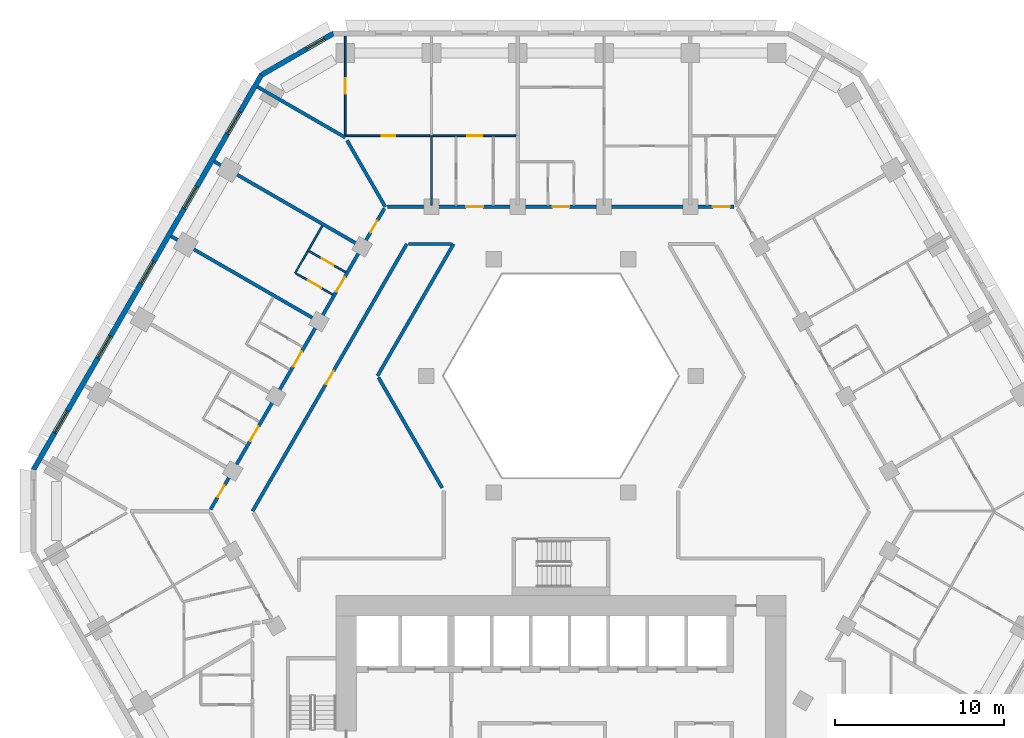
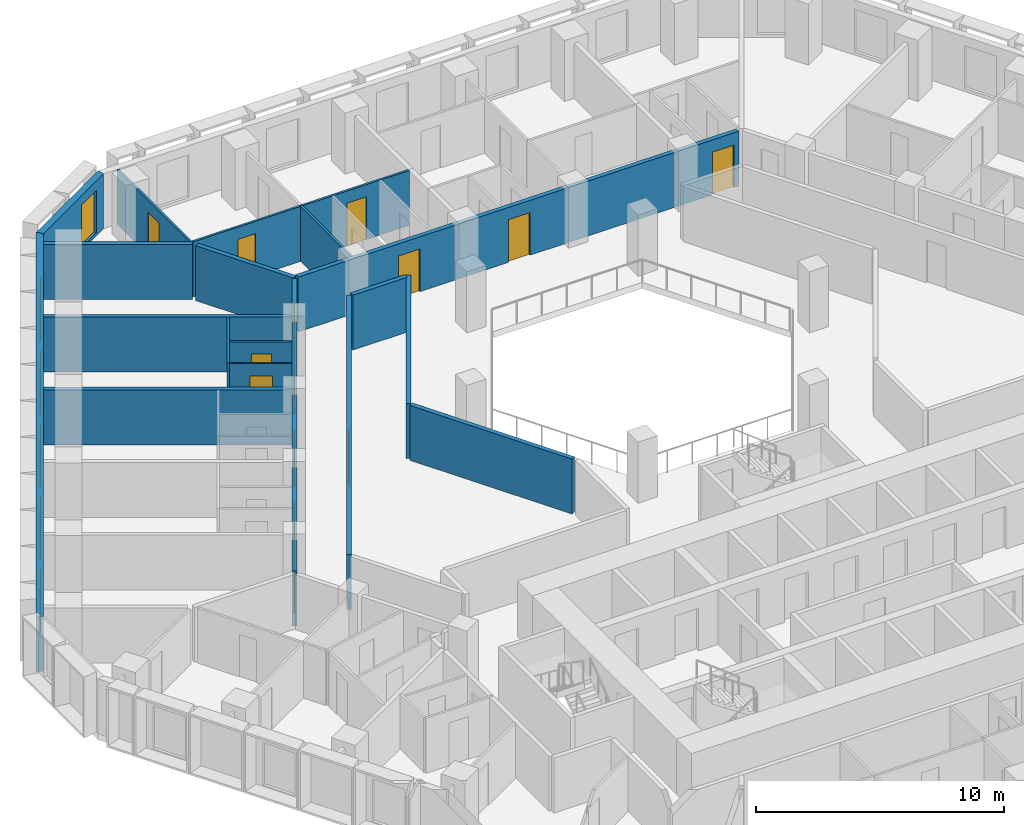
# One storey, part 8 of 16: 18 walls, 14 doors, 6 windows, 20 openings.
"""IFC4 building model written with IfcOpenShell, lengths in metres."""

from ifc_helpers import new_model, si_unit, direction, frame, frame_2d, origin, place, context, subcontext, project, spatial, polyline, rectangle, outline, extrude, material, layer, layer_set, type_object, element, fill, save


model = new_model("IFC4")

# Units and contexts
model_context = context("Model", 3, precision=1e-05, world=origin(), true_north=direction((0.0, 1.0)))
body_context = subcontext(model_context, "Body", "Model", "MODEL_VIEW")
ifc_project = project(units=[si_unit("LENGTHUNIT", "METRE"), si_unit("AREAUNIT", "SQUARE_METRE"), si_unit("VOLUMEUNIT", "CUBIC_METRE"), si_unit("PLANEANGLEUNIT", "RADIAN"), si_unit("MASSUNIT", "GRAM", prefix="KILO")], contexts=[model_context])

# Site, building, storey
site_placement = place(None, origin())
site = spatial("IfcSite", under=ifc_project, at=site_placement, CompositionType="ELEMENT")
building_placement = place(site_placement, origin())
building = spatial("IfcBuilding", under=site, at=building_placement, Name="Beryl Residences", CompositionType="ELEMENT")
storey_placement = place(building_placement, frame((0.0, 0.0, 26.39990234375)))
storey = spatial("IfcBuildingStorey", under=building, at=storey_placement, Name="L07", CompositionType="ELEMENT", Elevation=26.39990234375)

# Wall, opening, window
ifc_material_1 = material(Name="Composite metal panel with mineral wool insulation")
ifc_layer_1 = layer(ifc_material_1, 0.300048828125)
ifc_layer_set_1 = layer_set([ifc_layer_1], Name="ES1 pale metal composite panel wall 300 mm")
wall_type_1 = type_object("IfcWallType", Name="ES1 pale metal composite panel wall 300 mm", PredefinedType="SOLIDWALL", material=ifc_layer_set_1)
wall_1_placement = place(storey_placement, frame((-13.43505859375, 28.27001953125, 0.0), z_axis=(0.0, 0.0, 1.0), x_axis=(-0.866010750942, -0.50002537861, 0.0)))
wall_1 = element("IfcWall", 1, at=wall_1_placement, inside=storey, type_object=wall_type_1, Name="ES1 external wall L07 N-NW", PredefinedType="SOLIDWALL", context=body_context, shape_type="SweptSolid", body=[
    extrude(outline(polyline([(0.0, -0.14990234375), (4.999755859375, -0.14990234375), (4.91943359375, 0.14990234375), (0.080322265625, 0.14990234375), (0.0, -0.14990234375)])), origin(), (0.0, 0.0, 1.0), 2.7001953125),
])
opening_1_placement = place(wall_1_placement, frame((0.64990234375, 0.0, 0.14990234375)))
opening_1 = element("IfcOpeningElement", 2, at=opening_1_placement, cuts=wall_1, Name="Opening W2", PredefinedType="OPENING", context=body_context, shape_type="SweptSolid", body=[
    extrude(rectangle(XDim=1.199951171875, YDim=2.10009765625, at=frame_2d((0.60009765625, 1.050048828125))), frame((0.0, 0.159912109375, 0.0), z_axis=(0.0, -1.0, 0.0), x_axis=(1.0, 0.0, 0.0)), (0.0, 0.0, 1.0), 0.320068359375),
])
ifc_material_2 = material(Name="Aluminium and clear glass", Category="aluminium")
window_type_1 = type_object("IfcWindowType", Name="W2 chamfer window 1200 x 2100 mm", PartitioningType="SINGLE_PANEL", PredefinedType="WINDOW", material=ifc_material_2)
window_1_placement = place(opening_1_placement, origin())
window_1 = element("IfcWindow", 3, at=window_1_placement, inside=storey, type_object=window_type_1, Name="W2 window L07 N-NW 1", OverallHeight=2.10009765625, OverallWidth=1.199951171875, PartitioningType="SINGLE_PANEL", PredefinedType="WINDOW", context=body_context, shape_type="SweptSolid", body=[
    extrude(rectangle(XDim=1.199951171875, YDim=2.10009765625, at=frame_2d((0.60009765625, 1.050048828125))), frame((0.0, 0.030029296875, 0.0), z_axis=(0.0, -1.0, 0.0), x_axis=(1.0, 0.0, 0.0)), (0.0, 0.0, 1.0), 0.06005859375),
])
fill(opening_1, window_1)

# Wall, openings, windows
wall_2_placement = place(storey_placement, frame((-17.7099609375, 25.824951171875, 0.0), z_axis=(0.0, 0.0, 1.0), x_axis=(-0.500001938803, -0.866024284413, 0.0)))
wall_2 = element("IfcWall", 4, at=wall_2_placement, inside=storey, type_object=wall_type_1, Name="ES1 external wall L07 NW", PredefinedType="SOLIDWALL", context=body_context, shape_type="SweptSolid", body=[
    extrude(outline(polyline([(0.0, -0.14990234375), (27.02001953125, -0.14990234375), (26.939697265625, 0.14990234375), (0.080322265625, 0.14990234375), (0.0, -0.14990234375)])), origin(), (0.0, 0.0, 1.0), 2.7001953125),
])
opening_2_placement = place(wall_2_placement, frame((2.552978515625, 0.0, 0.14990234375)))
opening_2 = element("IfcOpeningElement", 5, at=opening_2_placement, cuts=wall_2, Name="Opening W1", PredefinedType="OPENING", context=body_context, shape_type="SweptSolid", body=[
    extrude(rectangle(XDim=1.5, YDim=2.10009765625, at=frame_2d((0.75, 1.050048828125))), frame((0.0, 0.159912109375, 0.0), z_axis=(0.0, -1.0, 0.0), x_axis=(1.0, 0.0, 0.0)), (0.0, 0.0, 1.0), 0.320068359375),
])
opening_3_placement = place(wall_2_placement, frame((7.657958984375, 0.0, 0.14990234375)))
opening_3 = element("IfcOpeningElement", 6, at=opening_3_placement, cuts=wall_2, Name="Opening W1", PredefinedType="OPENING", context=body_context, shape_type="SweptSolid", body=[
    extrude(rectangle(XDim=1.5, YDim=2.10009765625, at=frame_2d((0.75, 1.050048828125))), frame((0.0, 0.159912109375, 0.0), z_axis=(0.0, -1.0, 0.0), x_axis=(1.0, 0.0, 0.0)), (0.0, 0.0, 1.0), 0.320068359375),
])
opening_4_placement = place(wall_2_placement, frame((12.760986328125, 0.0, 0.14990234375)))
opening_4 = element("IfcOpeningElement", 7, at=opening_4_placement, cuts=wall_2, Name="Opening W1", PredefinedType="OPENING", context=body_context, shape_type="SweptSolid", body=[
    extrude(rectangle(XDim=1.5, YDim=2.10009765625, at=frame_2d((0.75, 1.050048828125))), frame((0.0, 0.159912109375, 0.0), z_axis=(0.0, -1.0, 0.0), x_axis=(1.0, 0.0, 0.0)), (0.0, 0.0, 1.0), 0.320068359375),
])
opening_5_placement = place(wall_2_placement, frame((17.864990234375, 0.0, 0.14990234375)))
opening_5 = element("IfcOpeningElement", 8, at=opening_5_placement, cuts=wall_2, Name="Opening W1", PredefinedType="OPENING", context=body_context, shape_type="SweptSolid", body=[
    extrude(rectangle(XDim=1.5, YDim=2.10009765625, at=frame_2d((0.75, 1.050048828125))), frame((0.0, 0.159912109375, 0.0), z_axis=(0.0, -1.0, 0.0), x_axis=(1.0, 0.0, 0.0)), (0.0, 0.0, 1.0), 0.320068359375),
])
opening_6_placement = place(wall_2_placement, frame((22.968994140625, 0.0, 0.14990234375)))
opening_6 = element("IfcOpeningElement", 9, at=opening_6_placement, cuts=wall_2, Name="Opening W1", PredefinedType="OPENING", context=body_context, shape_type="SweptSolid", body=[
    extrude(rectangle(XDim=1.5, YDim=2.10009765625, at=frame_2d((0.75, 1.050048828125))), frame((0.0, 0.159912109375, 0.0), z_axis=(0.0, -1.0, 0.0), x_axis=(1.0, 0.0, 0.0)), (0.0, 0.0, 1.0), 0.320068359375),
])
ifc_material_3 = material(Name="Aluminium and clear glass", Category="aluminium")
window_type_2 = type_object("IfcWindowType", Name="W1 cell window 1500 x 2100 mm", PartitioningType="SINGLE_PANEL", PredefinedType="WINDOW", material=ifc_material_3)
window_2_placement = place(opening_2_placement, origin())
window_2 = element("IfcWindow", 10, at=window_2_placement, inside=storey, type_object=window_type_2, Name="W1 window L07 NW 2", OverallHeight=2.10009765625, OverallWidth=1.5, PartitioningType="SINGLE_PANEL", PredefinedType="WINDOW", context=body_context, shape_type="SweptSolid", body=[
    extrude(rectangle(XDim=1.5, YDim=2.10009765625, at=frame_2d((0.75, 1.050048828125))), frame((0.0, 0.030029296875, 0.0), z_axis=(0.0, -1.0, 0.0), x_axis=(1.0, 0.0, 0.0)), (0.0, 0.0, 1.0), 0.06005859375),
])
fill(opening_2, window_2)
window_3_placement = place(opening_3_placement, origin())
window_3 = element("IfcWindow", 11, at=window_3_placement, inside=storey, type_object=window_type_2, Name="W1 window L07 NW 4", OverallHeight=2.10009765625, OverallWidth=1.5, PartitioningType="SINGLE_PANEL", PredefinedType="WINDOW", context=body_context, shape_type="SweptSolid", body=[
    extrude(rectangle(XDim=1.5, YDim=2.10009765625, at=frame_2d((0.75, 1.050048828125))), frame((0.0, 0.030029296875, 0.0), z_axis=(0.0, -1.0, 0.0), x_axis=(1.0, 0.0, 0.0)), (0.0, 0.0, 1.0), 0.06005859375),
])
fill(opening_3, window_3)
window_4_placement = place(opening_4_placement, origin())
window_4 = element("IfcWindow", 12, at=window_4_placement, inside=storey, type_object=window_type_2, Name="W1 window L07 NW 6", OverallHeight=2.10009765625, OverallWidth=1.5, PartitioningType="SINGLE_PANEL", PredefinedType="WINDOW", context=body_context, shape_type="SweptSolid", body=[
    extrude(rectangle(XDim=1.5, YDim=2.10009765625, at=frame_2d((0.75, 1.050048828125))), frame((0.0, 0.030029296875, 0.0), z_axis=(0.0, -1.0, 0.0), x_axis=(1.0, 0.0, 0.0)), (0.0, 0.0, 1.0), 0.06005859375),
])
fill(opening_4, window_4)
window_5_placement = place(opening_5_placement, origin())
window_5 = element("IfcWindow", 13, at=window_5_placement, inside=storey, type_object=window_type_2, Name="W1 window L07 NW 8", OverallHeight=2.10009765625, OverallWidth=1.5, PartitioningType="SINGLE_PANEL", PredefinedType="WINDOW", context=body_context, shape_type="SweptSolid", body=[
    extrude(rectangle(XDim=1.5, YDim=2.10009765625, at=frame_2d((0.75, 1.050048828125))), frame((0.0, 0.030029296875, 0.0), z_axis=(0.0, -1.0, 0.0), x_axis=(1.0, 0.0, 0.0)), (0.0, 0.0, 1.0), 0.06005859375),
])
fill(opening_5, window_5)
window_6_placement = place(opening_6_placement, origin())
window_6 = element("IfcWindow", 14, at=window_6_placement, inside=storey, type_object=window_type_2, Name="W1 window L07 NW 10", OverallHeight=2.10009765625, OverallWidth=1.5, PartitioningType="SINGLE_PANEL", PredefinedType="WINDOW", context=body_context, shape_type="SweptSolid", body=[
    extrude(rectangle(XDim=1.5, YDim=2.10009765625, at=frame_2d((0.75, 1.050048828125))), frame((0.0, 0.030029296875, 0.0), z_axis=(0.0, -1.0, 0.0), x_axis=(1.0, 0.0, 0.0)), (0.0, 0.0, 1.0), 0.06005859375),
])
fill(opening_6, window_6)

# Wall, opening, door
ifc_material_4 = material(Name="Gypsum board partition on steel studs", Category="steel")
ifc_layer_2 = layer(ifc_material_4, 0.10009765625)
ifc_layer_set_2 = layer_set([ifc_layer_2], Name="PT1 partition 100 mm gypsum board on steel studs")
wall_type_2 = type_object("IfcWallType", Name="PT1 partition 100 mm gypsum board on steel studs", PredefinedType="PARTITIONING", material=ifc_layer_set_2)
wall_3_placement = place(storey_placement, frame((-15.678955078125, 14.06103515625, 0.0), z_axis=(0.0, 0.0, 1.0), x_axis=(0.865916579361, -0.500188442078, 0.0)))
wall_3 = element("IfcWall", 15, at=wall_3_placement, inside=storey, type_object=wall_type_2, Name="Wall PT1 L07 021", PredefinedType="PARTITIONING", context=body_context, shape_type="SweptSolid", body=[
    extrude(rectangle(XDim=2.50927734375, YDim=0.10009765625, at=frame_2d((1.254638671875, 0.0))), origin(), (0.0, 0.0, 1.0), 2.7001953125),
])
opening_7_placement = place(wall_3_placement, frame((0.8291015625, 0.0, 0.0)))
opening_7 = element("IfcOpeningElement", 16, at=opening_7_placement, cuts=wall_3, Name="Opening D0403", PredefinedType="OPENING", context=body_context, shape_type="SweptSolid", body=[
    extrude(rectangle(XDim=0.89990234375, YDim=2.10009765625, at=frame_2d((0.449951171875, 1.050048828125))), frame((0.0, 0.06005859375, 0.0), z_axis=(0.0, -1.0, 0.0), x_axis=(1.0, 0.0, 0.0)), (0.0, 0.0, 1.0), 0.1201171875),
])
ifc_material_5 = material(Name="Timber door leaf", Category="wood")
door_type_1 = type_object("IfcDoorType", Name="D2 room door 900 x 2100 mm", OperationType="SINGLE_SWING_LEFT", PredefinedType="DOOR", material=ifc_material_5)
door_1_placement = place(opening_7_placement, origin())
door_1 = element("IfcDoor", 17, at=door_1_placement, inside=storey, type_object=door_type_1, Name="Door D0403 L07 001", OperationType="SINGLE_SWING_LEFT", OverallHeight=2.10009765625, OverallWidth=0.89990234375, PredefinedType="DOOR", context=body_context, shape_type="SweptSolid", body=[
    extrude(rectangle(XDim=0.89990234375, YDim=2.10009765625, at=frame_2d((0.449951171875, 1.050048828125))), frame((0.0, 0.02490234375, 0.0), z_axis=(0.0, -1.0, 0.0), x_axis=(1.0, 0.0, 0.0)), (0.0, 0.0, 1.0), 0.050048828125),
])
fill(opening_7, door_1)

wall_4_placement = place(storey_placement, frame((-14.9140625, 15.386962890625, 0.0), z_axis=(0.0, 0.0, 1.0), x_axis=(0.865983051302, -0.500073349477, 0.0)))
wall_4 = element("IfcWall", 18, at=wall_4_placement, inside=storey, type_object=wall_type_2, Name="Wall PT1 L07 022", PredefinedType="PARTITIONING", context=body_context, shape_type="SweptSolid", body=[
    extrude(rectangle(XDim=2.50927734375, YDim=0.10009765625, at=frame_2d((1.254638671875, 0.0))), origin(), (0.0, 0.0, 1.0), 2.7001953125),
])
opening_8_placement = place(wall_4_placement, frame((0.8798828125, 0.0, 0.0)))
opening_8 = element("IfcOpeningElement", 19, at=opening_8_placement, cuts=wall_4, Name="Opening D0404", PredefinedType="OPENING", context=body_context, shape_type="SweptSolid", body=[
    extrude(rectangle(XDim=0.800048828125, YDim=2.10009765625, at=frame_2d((0.39990234375, 1.050048828125))), frame((0.0, 0.06005859375, 0.0), z_axis=(0.0, -1.0, 0.0), x_axis=(1.0, 0.0, 0.0)), (0.0, 0.0, 1.0), 0.1201171875),
])
ifc_material_6 = material(Name="Timber door leaf", Category="wood")
door_type_2 = type_object("IfcDoorType", Name="D3 bathroom door 800 x 2100 mm", OperationType="SINGLE_SWING_LEFT", PredefinedType="DOOR", material=ifc_material_6)
door_2_placement = place(opening_8_placement, origin())
door_2 = element("IfcDoor", 20, at=door_2_placement, inside=storey, type_object=door_type_2, Name="Door D0404 L07 001", OperationType="SINGLE_SWING_RIGHT", OverallHeight=2.10009765625, OverallWidth=0.800048828125, PredefinedType="DOOR", context=body_context, shape_type="SweptSolid", body=[
    extrude(rectangle(XDim=0.800048828125, YDim=2.10009765625, at=frame_2d((0.39990234375, 1.050048828125))), frame((0.0, 0.02490234375, 0.0), z_axis=(0.0, -1.0, 0.0), x_axis=(1.0, 0.0, 0.0)), (0.0, 0.0, 1.0), 0.050048828125),
])
fill(opening_8, door_2)

# Wall, openings, doors
wall_5_placement = place(storey_placement, frame((-12.7109375, 22.199951171875, 0.0), z_axis=(0.0, 0.0, 1.0), x_axis=(1.0, 0.0, 0.0)))
wall_5 = element("IfcWall", 21, at=wall_5_placement, inside=storey, type_object=wall_type_2, Name="Wall PT1 L07 037", PredefinedType="PARTITIONING", context=body_context, shape_type="SweptSolid", body=[
    extrude(rectangle(XDim=10.057861328125, YDim=0.10009765625, at=frame_2d((5.02880859375, 0.0))), origin(), (0.0, 0.0, 1.0), 2.7001953125),
])
opening_9_placement = place(wall_5_placement, frame((7.156005859375, 0.0, 0.0)))
opening_9 = element("IfcOpeningElement", 22, at=opening_9_placement, cuts=wall_5, Name="Opening D0472", PredefinedType="OPENING", context=body_context, shape_type="SweptSolid", body=[
    extrude(rectangle(XDim=0.89990234375, YDim=2.10009765625, at=frame_2d((0.449951171875, 1.050048828125))), frame((0.0, 0.06005859375, 0.0), z_axis=(0.0, -1.0, 0.0), x_axis=(1.0, 0.0, 0.0)), (0.0, 0.0, 1.0), 0.1201171875),
])
opening_10_placement = place(wall_5_placement, frame((2.10205078125, 0.0, 0.0)))
opening_10 = element("IfcOpeningElement", 23, at=opening_10_placement, cuts=wall_5, Name="Opening D0475", PredefinedType="OPENING", context=body_context, shape_type="SweptSolid", body=[
    extrude(rectangle(XDim=0.800048828125, YDim=2.10009765625, at=frame_2d((0.39990234375, 1.050048828125))), frame((0.0, 0.06005859375, 0.0), z_axis=(0.0, -1.0, 0.0), x_axis=(1.0, 0.0, 0.0)), (0.0, 0.0, 1.0), 0.1201171875),
])
door_3_placement = place(opening_9_placement, origin())
door_3 = element("IfcDoor", 24, at=door_3_placement, inside=storey, type_object=door_type_1, Name="Door D0472 L07 001", OperationType="SINGLE_SWING_RIGHT", OverallHeight=2.10009765625, OverallWidth=0.89990234375, PredefinedType="DOOR", context=body_context, shape_type="SweptSolid", body=[
    extrude(rectangle(XDim=0.89990234375, YDim=2.10009765625, at=frame_2d((0.449951171875, 1.050048828125))), frame((0.0, 0.02490234375, 0.0), z_axis=(0.0, -1.0, 0.0), x_axis=(1.0, 0.0, 0.0)), (0.0, 0.0, 1.0), 0.050048828125),
])
fill(opening_9, door_3)
door_4_placement = place(opening_10_placement, origin())
door_4 = element("IfcDoor", 25, at=door_4_placement, inside=storey, type_object=door_type_2, Name="Door D0475 L07 001", OperationType="SINGLE_SWING_LEFT", OverallHeight=2.10009765625, OverallWidth=0.800048828125, PredefinedType="DOOR", context=body_context, shape_type="SweptSolid", body=[
    extrude(rectangle(XDim=0.800048828125, YDim=2.10009765625, at=frame_2d((0.39990234375, 1.050048828125))), frame((0.0, 0.02490234375, 0.0), z_axis=(0.0, -1.0, 0.0), x_axis=(1.0, 0.0, 0.0)), (0.0, 0.0, 1.0), 0.050048828125),
])
fill(opening_10, door_4)

# Walls
wall_6_placement = place(storey_placement, frame((-15.722900390625, 14.0869140625, 0.0), z_axis=(0.0, 0.0, 1.0), x_axis=(0.500204249835, 0.865907447969, 0.0)))
element("IfcWall", 26, at=wall_6_placement, inside=storey, type_object=wall_type_2, Name="Wall PT1 L07 041", PredefinedType="PARTITIONING", context=body_context, shape_type="SweptSolid", body=[
    extrude(rectangle(XDim=3.216552734375, YDim=0.10009765625, at=frame_2d((1.6083984375, 0.0))), origin(), (0.0, 0.0, 1.0), 2.7001953125),
])
wall_7_placement = place(storey_placement, frame((-7.656982421875, 18.10009765625, 0.0), z_axis=(0.0, 0.0, 1.0), x_axis=(0.0, 1.0, 0.0)))
element("IfcWall", 27, at=wall_7_placement, inside=storey, type_object=wall_type_2, Name="Wall PT1 L07 055", PredefinedType="PARTITIONING", context=body_context, shape_type="SweptSolid", body=[
    extrude(rectangle(XDim=4.099853515625, YDim=0.10009765625, at=frame_2d((2.0498046875, 0.0))), origin(), (0.0, 0.0, 1.0), 2.7001953125),
])

# Wall, opening, door
wall_8_placement = place(storey_placement, frame((-12.760986328125, 22.199951171875, 0.0), z_axis=(0.0, 0.0, 1.0), x_axis=(0.0, 1.0, 0.0)))
wall_8 = element("IfcWall", 28, at=wall_8_placement, inside=storey, type_object=wall_type_2, Name="Wall PT1 L07 057", PredefinedType="PARTITIONING", context=body_context, shape_type="SweptSolid", body=[
    extrude(rectangle(XDim=5.900146484375, YDim=0.10009765625, at=frame_2d((2.9501953125, 0.0))), origin(), (0.0, 0.0, 1.0), 2.7001953125),
])
opening_11_placement = place(wall_8_placement, frame((2.5, 0.0, 0.0)))
opening_11 = element("IfcOpeningElement", 29, at=opening_11_placement, cuts=wall_8, Name="Opening D0474", PredefinedType="OPENING", context=body_context, shape_type="SweptSolid", body=[
    extrude(rectangle(XDim=0.89990234375, YDim=2.10009765625, at=frame_2d((0.449951171875, 1.050048828125))), frame((0.0, 0.06005859375, 0.0), z_axis=(0.0, -1.0, 0.0), x_axis=(1.0, 0.0, 0.0)), (0.0, 0.0, 1.0), 0.1201171875),
])
door_5_placement = place(opening_11_placement, origin())
door_5 = element("IfcDoor", 30, at=door_5_placement, inside=storey, type_object=door_type_1, Name="Door D0474 L07 001", OperationType="SINGLE_SWING_RIGHT", OverallHeight=2.10009765625, OverallWidth=0.89990234375, PredefinedType="DOOR", context=body_context, shape_type="SweptSolid", body=[
    extrude(rectangle(XDim=0.89990234375, YDim=2.10009765625, at=frame_2d((0.449951171875, 1.050048828125))), frame((0.0, 0.02490234375, 0.0), z_axis=(0.0, -1.0, 0.0), x_axis=(1.0, 0.0, 0.0)), (0.0, 0.0, 1.0), 0.050048828125),
])
fill(opening_11, door_5)

# Walls
ifc_material_7 = material(Name="Acoustic double stud gypsum board wall")
ifc_layer_3 = layer(ifc_material_7, 0.199951171875)
ifc_layer_set_3 = layer_set([ifc_layer_3], Name="PT3 party wall 200 mm acoustic double stud")
wall_type_3 = type_object("IfcWallType", Name="PT3 party wall 200 mm acoustic double stud", PredefinedType="PARTITIONING", material=ifc_layer_set_3)
wall_9_placement = place(storey_placement, frame((-12.658935546875, 21.926025390625, 0.0), z_axis=(0.0, 0.0, 1.0), x_axis=(0.500025458316, -0.86601070492, 0.0)))
element("IfcWall", 31, at=wall_9_placement, inside=storey, type_object=wall_type_3, Name="Wall PT3 L07 001", PredefinedType="PARTITIONING", context=body_context, shape_type="SweptSolid", body=[
    extrude(rectangle(XDim=4.533447265625, YDim=0.199951171875, at=frame_2d((2.2666015625, 0.0))), origin(), (0.0, 0.0, 1.0), 2.7001953125),
])
wall_10_placement = place(storey_placement, frame((-20.508056640625, 20.678955078125, 0.0), z_axis=(0.0, 0.0, 1.0), x_axis=(0.866047370643, -0.499961950354, 0.0)))
element("IfcWall", 32, at=wall_10_placement, inside=storey, type_object=wall_type_3, Name="Wall PT3 L07 008", PredefinedType="PARTITIONING", context=body_context, shape_type="SweptSolid", body=[
    extrude(rectangle(XDim=10.000732421875, YDim=0.199951171875, at=frame_2d((5.00048828125, 0.0))), origin(), (0.0, 0.0, 1.0), 2.7001953125),
])
wall_11_placement = place(storey_placement, frame((-17.955078125, 25.09912109375, 0.0), z_axis=(0.0, 0.0, 1.0), x_axis=(0.86609140076, -0.499885672459, 0.0)))
element("IfcWall", 33, at=wall_11_placement, inside=storey, type_object=wall_type_3, Name="Wall PT3 L07 009", PredefinedType="PARTITIONING", context=body_context, shape_type="SweptSolid", body=[
    extrude(rectangle(XDim=5.99951171875, YDim=0.199951171875, at=frame_2d((2.999755859375, 0.0))), origin(), (0.0, 0.0, 1.0), 2.7001953125),
])
wall_12_placement = place(storey_placement, frame((-23.06005859375, 16.259033203125, 0.0), z_axis=(0.0, 0.0, 1.0), x_axis=(0.866047370643, -0.499961950354, 0.0)))
element("IfcWall", 34, at=wall_12_placement, inside=storey, type_object=wall_type_3, Name="Wall PT3 L07 010", PredefinedType="PARTITIONING", context=body_context, shape_type="SweptSolid", body=[
    extrude(rectangle(XDim=10.000732421875, YDim=0.199951171875, at=frame_2d((5.00048828125, 0.0))), origin(), (0.0, 0.0, 1.0), 2.7001953125),
])
ifc_material_8 = material(Name="Double stud gypsum board wall")
ifc_layer_4 = layer(ifc_material_8, 0.199951171875)
ifc_layer_set_4 = layer_set([ifc_layer_4], Name="PT4 corridor wall 200 mm double stud")
wall_type_4 = type_object("IfcWallType", Name="PT4 corridor wall 200 mm double stud", PredefinedType="PARTITIONING", material=ifc_layer_set_4)
wall_13_placement = place(storey_placement, frame((-10.7958984375, 7.89990234375, 0.0), z_axis=(0.0, 0.0, 1.0), x_axis=(0.499954271211, -0.866051803703, 0.0)))
element("IfcWall", 35, at=wall_13_placement, inside=storey, type_object=wall_type_4, Name="Wall PT4 L07 001", PredefinedType="PARTITIONING", context=body_context, shape_type="SweptSolid", body=[
    extrude(rectangle(XDim=7.536376953125, YDim=0.199951171875, at=frame_2d((3.76806640625, 0.0))), origin(), (0.0, 0.0, 1.0), 2.7001953125),
])
wall_14_placement = place(storey_placement, frame((-9.006103515625, 15.800048828125, 0.0), z_axis=(0.0, 0.0, 1.0), x_axis=(1.0, 0.0, 0.0)))
element("IfcWall", 36, at=wall_14_placement, inside=storey, type_object=wall_type_4, Name="Wall PT4 L07 016", PredefinedType="PARTITIONING", context=body_context, shape_type="SweptSolid", body=[
    extrude(rectangle(XDim=2.5400390625, YDim=0.199951171875, at=frame_2d((1.27001953125, 0.0))), origin(), (0.0, 0.0, 1.0), 2.7001953125),
])

# Wall, openings, doors
wall_15_placement = place(storey_placement, frame((-10.27587890625, 18.0, 0.0), z_axis=(0.0, 0.0, 1.0), x_axis=(1.0, 0.0, 0.0)))
wall_15 = element("IfcWall", 37, at=wall_15_placement, inside=storey, type_object=wall_type_4, Name="Wall PT4 L07 018", PredefinedType="PARTITIONING", context=body_context, shape_type="SweptSolid", body=[
    extrude(rectangle(XDim=20.5, YDim=0.199951171875, at=frame_2d((10.25, 0.0))), origin(), (0.0, 0.0, 1.0), 2.7001953125),
])
opening_12_placement = place(wall_15_placement, frame((19.264892578125, 0.0, 0.0)))
opening_12 = element("IfcOpeningElement", 38, at=opening_12_placement, cuts=wall_15, Name="Opening D0459", PredefinedType="OPENING", context=body_context, shape_type="SweptSolid", body=[
    extrude(rectangle(XDim=1.0, YDim=2.10009765625, at=frame_2d((0.5, 1.050048828125))), frame((0.0, 0.10986328125, 0.0), z_axis=(0.0, -1.0, 0.0), x_axis=(1.0, 0.0, 0.0)), (0.0, 0.0, 1.0), 0.219970703125),
])
opening_13_placement = place(wall_15_placement, frame((9.77490234375, 0.0, 0.0)))
opening_13 = element("IfcOpeningElement", 39, at=opening_13_placement, cuts=wall_15, Name="Opening D0463", PredefinedType="OPENING", context=body_context, shape_type="SweptSolid", body=[
    extrude(rectangle(XDim=1.0, YDim=2.10009765625, at=frame_2d((0.5, 1.050048828125))), frame((0.0, 0.10986328125, 0.0), z_axis=(0.0, -1.0, 0.0), x_axis=(1.0, 0.0, 0.0)), (0.0, 0.0, 1.0), 0.219970703125),
])
opening_14_placement = place(wall_15_placement, frame((4.6708984375, 0.0, 0.0)))
opening_14 = element("IfcOpeningElement", 40, at=opening_14_placement, cuts=wall_15, Name="Opening D0469", PredefinedType="OPENING", context=body_context, shape_type="SweptSolid", body=[
    extrude(rectangle(XDim=1.0, YDim=2.10009765625, at=frame_2d((0.5, 1.050048828125))), frame((0.0, 0.10986328125, 0.0), z_axis=(0.0, -1.0, 0.0), x_axis=(1.0, 0.0, 0.0)), (0.0, 0.0, 1.0), 0.219970703125),
])
ifc_material_9 = material(Name="Timber door leaf", Category="wood")
door_type_3 = type_object("IfcDoorType", Name="D1 flat entrance door 1000 x 2100 mm", OperationType="SINGLE_SWING_LEFT", PredefinedType="DOOR", material=ifc_material_9)
door_6_placement = place(opening_12_placement, origin())
door_6 = element("IfcDoor", 41, at=door_6_placement, inside=storey, type_object=door_type_3, Name="Door D0459 L07 001", OperationType="SINGLE_SWING_LEFT", OverallHeight=2.10009765625, OverallWidth=1.0, PredefinedType="DOOR", context=body_context, shape_type="SweptSolid", body=[
    extrude(rectangle(XDim=1.0, YDim=2.10009765625, at=frame_2d((0.5, 1.050048828125))), frame((0.0, 0.02490234375, 0.0), z_axis=(0.0, -1.0, 0.0), x_axis=(1.0, 0.0, 0.0)), (0.0, 0.0, 1.0), 0.050048828125),
])
fill(opening_12, door_6)
door_7_placement = place(opening_13_placement, origin())
door_7 = element("IfcDoor", 42, at=door_7_placement, inside=storey, type_object=door_type_3, Name="Door D0463 L07 001", OperationType="SINGLE_SWING_LEFT", OverallHeight=2.10009765625, OverallWidth=1.0, PredefinedType="DOOR", context=body_context, shape_type="SweptSolid", body=[
    extrude(rectangle(XDim=1.0, YDim=2.10009765625, at=frame_2d((0.5, 1.050048828125))), frame((0.0, 0.02490234375, 0.0), z_axis=(0.0, -1.0, 0.0), x_axis=(1.0, 0.0, 0.0)), (0.0, 0.0, 1.0), 0.050048828125),
])
fill(opening_13, door_7)
door_8_placement = place(opening_14_placement, origin())
door_8 = element("IfcDoor", 43, at=door_8_placement, inside=storey, type_object=door_type_3, Name="Door D0469 L07 001", OperationType="SINGLE_SWING_LEFT", OverallHeight=2.10009765625, OverallWidth=1.0, PredefinedType="DOOR", context=body_context, shape_type="SweptSolid", body=[
    extrude(rectangle(XDim=1.0, YDim=2.10009765625, at=frame_2d((0.5, 1.050048828125))), frame((0.0, 0.02490234375, 0.0), z_axis=(0.0, -1.0, 0.0), x_axis=(1.0, 0.0, 0.0)), (0.0, 0.0, 1.0), 0.050048828125),
])
fill(opening_14, door_8)

# Wall
wall_16_placement = place(storey_placement, frame((-10.85400390625, 8.0, 0.0), z_axis=(0.0, 0.0, 1.0), x_axis=(0.499964141897, 0.86604610548, 0.0)))
element("IfcWall", 44, at=wall_16_placement, inside=storey, type_object=wall_type_4, Name="Wall PT4 L07 022", PredefinedType="PARTITIONING", context=body_context, shape_type="SweptSolid", body=[
    extrude(rectangle(XDim=9.006591796875, YDim=0.199951171875, at=frame_2d((4.50341796875, 0.0))), origin(), (0.0, 0.0, 1.0), 2.7001953125),
])

# Wall, opening, door
wall_17_placement = place(storey_placement, frame((-18.243896484375, -0.0009765625, 0.0), z_axis=(0.0, 0.0, 1.0), x_axis=(0.499962999376, 0.866046765051, 0.0)))
wall_17 = element("IfcWall", 45, at=wall_17_placement, inside=storey, type_object=wall_type_4, Name="Wall PT4 L07 023", PredefinedType="PARTITIONING", context=body_context, shape_type="SweptSolid", body=[
    extrude(rectangle(XDim=18.2451171875, YDim=0.199951171875, at=frame_2d((9.12255859375, 0.0))), origin(), (0.0, 0.0, 1.0), 2.7001953125),
])
opening_15_placement = place(wall_17_placement, frame((8.672119140625, 0.0, 0.0)))
opening_15 = element("IfcOpeningElement", 46, at=opening_15_placement, cuts=wall_17, Name="Opening D0476", PredefinedType="OPENING", context=body_context, shape_type="SweptSolid", body=[
    extrude(rectangle(XDim=0.89990234375, YDim=2.10009765625, at=frame_2d((0.449951171875, 1.050048828125))), frame((0.0, 0.10986328125, 0.0), z_axis=(0.0, -1.0, 0.0), x_axis=(1.0, 0.0, 0.0)), (0.0, 0.0, 1.0), 0.219970703125),
])
door_9_placement = place(opening_15_placement, origin())
door_9 = element("IfcDoor", 47, at=door_9_placement, inside=storey, type_object=door_type_1, Name="Door D0476 L07 001", OperationType="SINGLE_SWING_RIGHT", OverallHeight=2.10009765625, OverallWidth=0.89990234375, PredefinedType="DOOR", context=body_context, shape_type="SweptSolid", body=[
    extrude(rectangle(XDim=0.89990234375, YDim=2.10009765625, at=frame_2d((0.449951171875, 1.050048828125))), frame((0.0, 0.02490234375, 0.0), z_axis=(0.0, -1.0, 0.0), x_axis=(1.0, 0.0, 0.0)), (0.0, 0.0, 1.0), 0.050048828125),
])
fill(opening_15, door_9)

# Wall, openings, doors
wall_18_placement = place(storey_placement, frame((-20.72705078125, 0.09912109375, 0.0), z_axis=(0.0, 0.0, 1.0), x_axis=(0.499993204491, 0.866029327138, 0.0)))
wall_18 = element("IfcWall", 48, at=wall_18_placement, inside=storey, type_object=wall_type_4, Name="Wall PT4 L07 024", PredefinedType="PARTITIONING", context=body_context, shape_type="SweptSolid", body=[
    extrude(rectangle(XDim=20.554443359375, YDim=0.199951171875, at=frame_2d((10.27734375, 0.0))), origin(), (0.0, 0.0, 1.0), 2.7001953125),
])
opening_16_placement = place(wall_18_placement, frame((18.916015625, 0.0, 0.0)))
opening_16 = element("IfcOpeningElement", 49, at=opening_16_placement, cuts=wall_18, Name="Opening D0401", PredefinedType="OPENING", context=body_context, shape_type="SweptSolid", body=[
    extrude(rectangle(XDim=0.800048828125, YDim=2.10009765625, at=frame_2d((0.39990234375, 1.050048828125))), frame((0.0, 0.10986328125, 0.0), z_axis=(0.0, -1.0, 0.0), x_axis=(1.0, 0.0, 0.0)), (0.0, 0.0, 1.0), 0.219970703125),
])
opening_17_placement = place(wall_18_placement, frame((14.8798828125, 0.0, 0.0)))
opening_17 = element("IfcOpeningElement", 50, at=opening_17_placement, cuts=wall_18, Name="Opening D0402", PredefinedType="OPENING", context=body_context, shape_type="SweptSolid", body=[
    extrude(rectangle(XDim=1.0, YDim=2.10009765625, at=frame_2d((0.5, 1.050048828125))), frame((0.0, 0.10986328125, 0.0), z_axis=(0.0, -1.0, 0.0), x_axis=(1.0, 0.0, 0.0)), (0.0, 0.0, 1.0), 0.219970703125),
])
opening_18_placement = place(wall_18_placement, frame((9.77587890625, 0.0, 0.0)))
opening_18 = element("IfcOpeningElement", 51, at=opening_18_placement, cuts=wall_18, Name="Opening D0405", PredefinedType="OPENING", context=body_context, shape_type="SweptSolid", body=[
    extrude(rectangle(XDim=1.0, YDim=2.10009765625, at=frame_2d((0.5, 1.050048828125))), frame((0.0, 0.10986328125, 0.0), z_axis=(0.0, -1.0, 0.0), x_axis=(1.0, 0.0, 0.0)), (0.0, 0.0, 1.0), 0.219970703125),
])
opening_19_placement = place(wall_18_placement, frame((4.673095703125, 0.0, 0.0)))
opening_19 = element("IfcOpeningElement", 52, at=opening_19_placement, cuts=wall_18, Name="Opening D0408", PredefinedType="OPENING", context=body_context, shape_type="SweptSolid", body=[
    extrude(rectangle(XDim=1.0, YDim=2.10009765625, at=frame_2d((0.5, 1.050048828125))), frame((0.0, 0.10986328125, 0.0), z_axis=(0.0, -1.0, 0.0), x_axis=(1.0, 0.0, 0.0)), (0.0, 0.0, 1.0), 0.219970703125),
])
opening_20_placement = place(wall_18_placement, frame((0.837890625, 0.0, 0.0)))
opening_20 = element("IfcOpeningElement", 53, at=opening_20_placement, cuts=wall_18, Name="Opening D0411", PredefinedType="OPENING", context=body_context, shape_type="SweptSolid", body=[
    extrude(rectangle(XDim=0.800048828125, YDim=2.10009765625, at=frame_2d((0.39990234375, 1.050048828125))), frame((0.0, 0.10986328125, 0.0), z_axis=(0.0, -1.0, 0.0), x_axis=(1.0, 0.0, 0.0)), (0.0, 0.0, 1.0), 0.219970703125),
])
door_10_placement = place(opening_17_placement, origin())
door_10 = element("IfcDoor", 54, at=door_10_placement, inside=storey, type_object=door_type_3, Name="Door D0402 L07 001", OperationType="SINGLE_SWING_RIGHT", OverallHeight=2.10009765625, OverallWidth=1.0, PredefinedType="DOOR", context=body_context, shape_type="SweptSolid", body=[
    extrude(rectangle(XDim=1.0, YDim=2.10009765625, at=frame_2d((0.5, 1.050048828125))), frame((0.0, 0.02490234375, 0.0), z_axis=(0.0, -1.0, 0.0), x_axis=(1.0, 0.0, 0.0)), (0.0, 0.0, 1.0), 0.050048828125),
])
fill(opening_17, door_10)
door_11_placement = place(opening_18_placement, origin())
door_11 = element("IfcDoor", 55, at=door_11_placement, inside=storey, type_object=door_type_3, Name="Door D0405 L07 001", OperationType="SINGLE_SWING_LEFT", OverallHeight=2.10009765625, OverallWidth=1.0, PredefinedType="DOOR", context=body_context, shape_type="SweptSolid", body=[
    extrude(rectangle(XDim=1.0, YDim=2.10009765625, at=frame_2d((0.5, 1.050048828125))), frame((0.0, 0.02490234375, 0.0), z_axis=(0.0, -1.0, 0.0), x_axis=(1.0, 0.0, 0.0)), (0.0, 0.0, 1.0), 0.050048828125),
])
fill(opening_18, door_11)
door_12_placement = place(opening_19_placement, origin())
door_12 = element("IfcDoor", 56, at=door_12_placement, inside=storey, type_object=door_type_3, Name="Door D0408 L07 001", OperationType="SINGLE_SWING_RIGHT", OverallHeight=2.10009765625, OverallWidth=1.0, PredefinedType="DOOR", context=body_context, shape_type="SweptSolid", body=[
    extrude(rectangle(XDim=1.0, YDim=2.10009765625, at=frame_2d((0.5, 1.050048828125))), frame((0.0, 0.02490234375, 0.0), z_axis=(0.0, -1.0, 0.0), x_axis=(1.0, 0.0, 0.0)), (0.0, 0.0, 1.0), 0.050048828125),
])
fill(opening_19, door_12)
door_13_placement = place(opening_16_placement, origin())
door_13 = element("IfcDoor", 57, at=door_13_placement, inside=storey, type_object=door_type_2, Name="Door D0401 L07 001", OperationType="SINGLE_SWING_LEFT", OverallHeight=2.10009765625, OverallWidth=0.800048828125, PredefinedType="DOOR", context=body_context, shape_type="SweptSolid", body=[
    extrude(rectangle(XDim=0.800048828125, YDim=2.10009765625, at=frame_2d((0.39990234375, 1.050048828125))), frame((0.0, 0.02490234375, 0.0), z_axis=(0.0, -1.0, 0.0), x_axis=(1.0, 0.0, 0.0)), (0.0, 0.0, 1.0), 0.050048828125),
])
fill(opening_16, door_13)
door_14_placement = place(opening_20_placement, origin())
door_14 = element("IfcDoor", 58, at=door_14_placement, inside=storey, type_object=door_type_2, Name="Door D0411 L07 001", OperationType="SINGLE_SWING_LEFT", OverallHeight=2.10009765625, OverallWidth=0.800048828125, PredefinedType="DOOR", context=body_context, shape_type="SweptSolid", body=[
    extrude(rectangle(XDim=0.800048828125, YDim=2.10009765625, at=frame_2d((0.39990234375, 1.050048828125))), frame((0.0, 0.02490234375, 0.0), z_axis=(0.0, -1.0, 0.0), x_axis=(1.0, 0.0, 0.0)), (0.0, 0.0, 1.0), 0.050048828125),
])
fill(opening_20, door_14)

save(model, "model.ifc")
